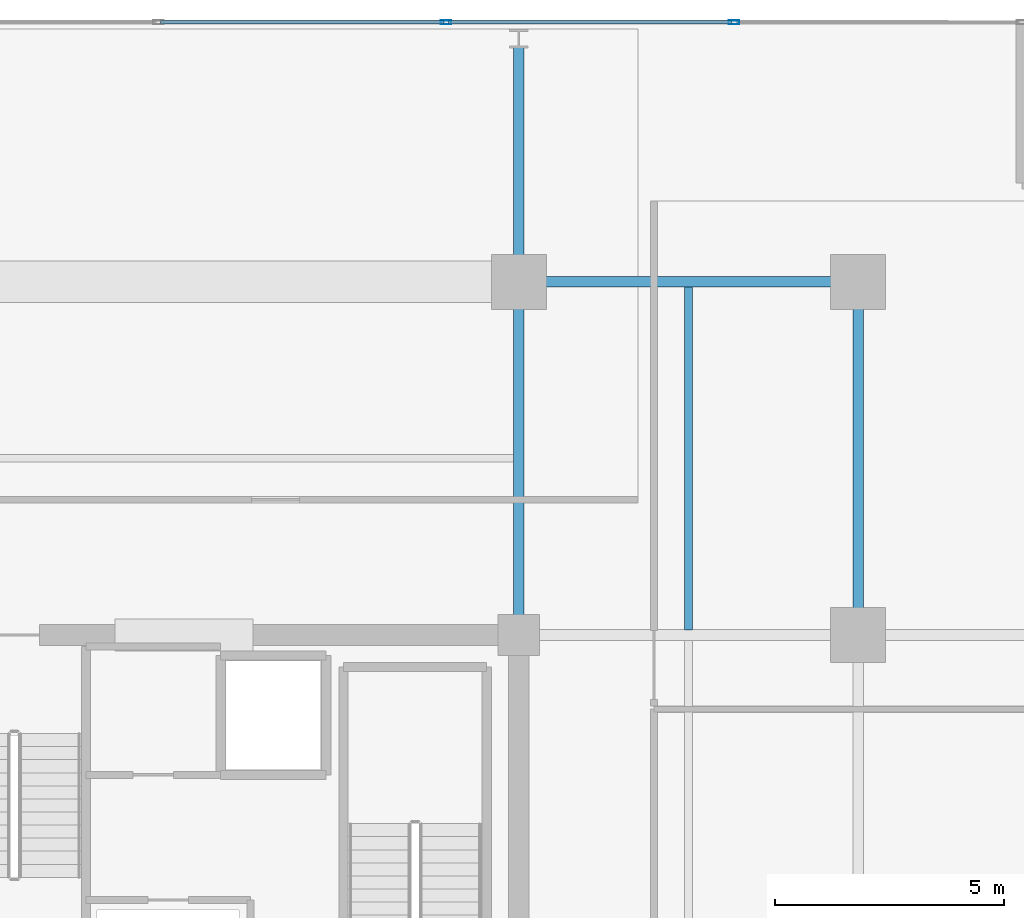
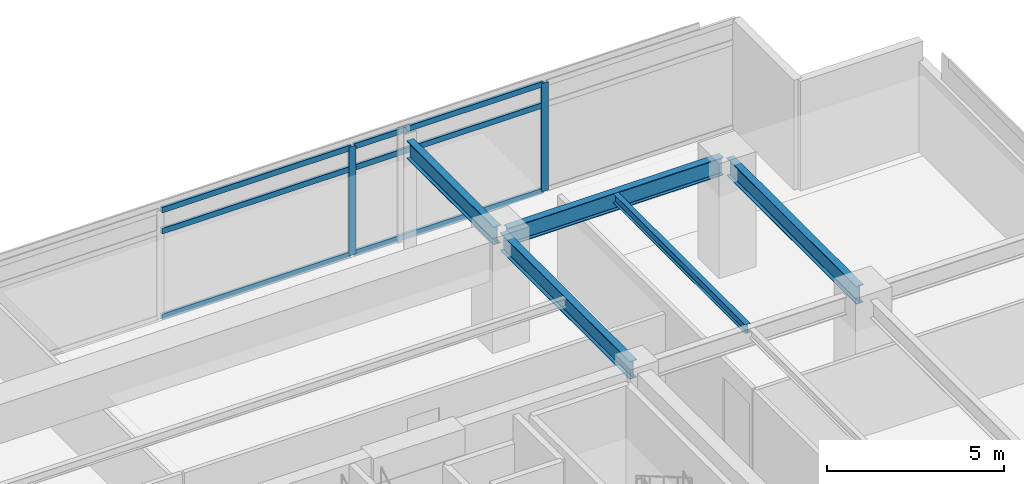
# One storey, part 11 of 21: 8 members, 5 beams, 1 element without a shape of its own.
"""IFC4 building model written with IfcOpenShell, lengths in metres."""

from ifc_helpers import new_model, si_unit, direction, frame, origin, origin_2d, place, context, subcontext, project, spatial, hollow_rectangle, i_section, extrude, material, material_profile, profile_set, type_object, element, aggregate, save


model = new_model("IFC4")

# Units and contexts
model_context = context("Model", 3, precision=1e-05, world=origin(), true_north=direction((0.0, 1.0)))
body_context = subcontext(model_context, "Body", "Model", "MODEL_VIEW")
ifc_project = project(units=[si_unit("LENGTHUNIT", "METRE"), si_unit("AREAUNIT", "SQUARE_METRE"), si_unit("VOLUMEUNIT", "CUBIC_METRE"), si_unit("PLANEANGLEUNIT", "RADIAN"), si_unit("MASSUNIT", "GRAM", prefix="KILO")], contexts=[model_context])

# Site, building, storey
site_placement = place(None, origin())
site = spatial("IfcSite", under=ifc_project, at=site_placement, CompositionType="ELEMENT")
building_placement = place(site_placement, origin())
building = spatial("IfcBuilding", under=site, at=building_placement, Name="Kovane Verandah Tower", CompositionType="ELEMENT")
storey_placement = place(building_placement, frame((0.0, 0.0, 275.199951171875)))
storey = spatial("IfcBuildingStorey", under=building, at=storey_placement, Name="L64", CompositionType="ELEMENT", Elevation=275.199951171875)

# Beams
ifc_material_1 = material(Name="Steel S355", Category="steel")
ifc_material_profile_1 = material_profile(ifc_material_1, i_section(OverallWidth=0.230224609375, OverallDepth=0.6171875, WebThickness=0.01318359375, FlangeThickness=0.022216796875, FilletRadius=0.0126953125, at=origin_2d()), Name="UB610x229x140")
ifc_profile_set_1 = profile_set([ifc_material_profile_1], Name="Steel S355")
beam_type_1 = type_object("IfcBeamType", Name="BM-UB610x140", PredefinedType="BEAM", material=ifc_profile_set_1)
beam_1_placement = place(storey_placement, frame((51.179931640625, 44.199951171875, 3.4765625), z_axis=(1.0, 0.0, 0.0), x_axis=(0.0, 1.0, 0.0)))
element("IfcBeam", 1, at=beam_1_placement, inside=storey, type_object=beam_type_1, Name="L64 Primary Tower Girder G-RN3", PredefinedType="BEAM", context=body_context, shape_type="SweptSolid", body=[
    extrude(i_section(OverallWidth=0.230224609375, OverallDepth=0.6171875, WebThickness=0.01318359375, FlangeThickness=0.022216796875, FilletRadius=0.0126953125, at=origin_2d()), origin(), (0.0, 0.0, 1.0), 7.0400390625),
])
for number, where, z_axis, x_axis, name in (
    (2, (58.39990234375, 36.679931640625, 3.4765625), (0.0, 1.0, 0.0), (-1.0, 0.0, 0.0), "L64 Primary Tower Girder G-RE3"),
    (3, (51.0, 36.679931640625, 3.4765625), (0.0, 1.0, 0.0), (-1.0, 0.0, 0.0), "L64 Primary Tower Girder G-N2"),
):
    element("IfcBeam", number, at=place(storey_placement, frame(where, z_axis=z_axis, x_axis=x_axis)), inside=storey, type_object=beam_type_1, Name=name, PredefinedType="BEAM", context=body_context, shape_type="SweptSolid", body=[
        extrude(i_section(OverallWidth=0.230224609375, OverallDepth=0.6171875, WebThickness=0.01318359375, FlangeThickness=0.022216796875, FilletRadius=0.0126953125, at=origin_2d()), origin(), (0.0, 0.0, 1.0), 7.340087890625),
    ])
beam_2_placement = place(storey_placement, frame((51.0, 44.3798828125, 3.451416015625), z_axis=(0.0, 1.0, 0.0), x_axis=(-1.0, 0.0, 0.0)))
element("IfcBeam", 4, at=beam_2_placement, inside=storey, type_object=beam_type_1, Name="L64 Primary Tower Girder G-VN2", PredefinedType="BEAM", context=body_context, shape_type="SweptSolid", body=[
    extrude(i_section(OverallWidth=0.230224609375, OverallDepth=0.6171875, WebThickness=0.01318359375, FlangeThickness=0.022216796875, FilletRadius=0.0126953125, at=origin_2d()), origin(), (0.0, 0.0, 1.0), 4.940185546875),
])

# Curtain wall, members
ifc_material_2 = material(Name="Champagne Anodised Aluminium Frame with Low-E Clear Laminated Glass", Category="aluminium")
curtain_wall_type = type_object("IfcCurtainWallType", Name="CW-SYS-05-HIGH", PredefinedType="NOTDEFINED", material=ifc_material_2)
curtain_wall_placement = place(storey_placement, origin())
curtain_wall = element("IfcCurtainWall", 5, at=curtain_wall_placement, inside=storey, type_object=curtain_wall_type, Name="L64 N Unitised Curtain Wall", PredefinedType="NOTDEFINED")
ifc_material_3 = material(Name="Champagne Anodised Aluminium 6063-T6", Category="aluminium")
ifc_material_profile_2 = material_profile(ifc_material_3, hollow_rectangle(XDim=0.0849609375, YDim=0.22998046875, WallThickness=0.00390625, at=origin_2d()), Name="AL85x230x4")
ifc_profile_set_2 = profile_set([ifc_material_profile_2], Name="Champagne Anodised Aluminium 6063-T6")
member_type_1 = type_object("IfcMemberType", Name="CW-MUL-85x230", PredefinedType="MULLION", material=ifc_profile_set_2)
member_1_placement = place(storey_placement, frame((55.6923828125, 49.860107421875, 0.02001953125), z_axis=(0.0, 0.0, 1.0), x_axis=(0.0, 1.0, 0.0)))
member_1 = element("IfcMember", 6, at=member_1_placement, type_object=member_type_1, Name="L64 N Unitised Curtain Wall Mullion 2", PredefinedType="MULLION", context=body_context, shape_type="SweptSolid", body=[
    extrude(hollow_rectangle(XDim=0.0849609375, YDim=0.22998046875, WallThickness=0.00390625, at=origin_2d()), origin(), (0.0, 0.0, 1.0), 3.7451171875),
])
member_2_placement = place(storey_placement, frame((49.415283203125, 49.860107421875, 0.02001953125), z_axis=(0.0, 0.0, 1.0), x_axis=(0.0, 1.0, 0.0)))
member_2 = element("IfcMember", 7, at=member_2_placement, type_object=member_type_1, Name="L64 N Unitised Curtain Wall Mullion 3", PredefinedType="MULLION", context=body_context, shape_type="SweptSolid", body=[
    extrude(hollow_rectangle(XDim=0.0849609375, YDim=0.22998046875, WallThickness=0.00390625, at=origin_2d()), origin(), (0.0, 0.0, 1.0), 3.7451171875),
])
ifc_material_profile_3 = material_profile(ifc_material_3, hollow_rectangle(XDim=0.0849609375, YDim=0.18994140625, WallThickness=0.00390625, at=origin_2d()), Name="AL85x190x4")
ifc_profile_set_3 = profile_set([ifc_material_profile_3], Name="Champagne Anodised Aluminium 6063-T6")
member_type_2 = type_object("IfcMemberType", Name="CW-TRN-85x190", PredefinedType="USERDEFINED", material=ifc_profile_set_3)
member_3_placement = place(storey_placement, frame((55.642333984375, 49.860107421875, 0.050048828125), z_axis=(-1.0, 0.0, 0.0), x_axis=(0.0, -1.0, 0.0)))
member_3 = element("IfcMember", 8, at=member_3_placement, type_object=member_type_2, Name="L64 N Unitised Curtain Wall Transom TB Bay 2", ObjectType="TRANSOM", PredefinedType="USERDEFINED", context=body_context, shape_type="SweptSolid", body=[
    extrude(hollow_rectangle(XDim=0.0849609375, YDim=0.18994140625, WallThickness=0.00390625, at=origin_2d()), origin(), (0.0, 0.0, 1.0), 6.177001953125),
])
member_4_placement = place(storey_placement, frame((55.642333984375, 49.860107421875, 3.005126953125), z_axis=(-1.0, 0.0, 0.0), x_axis=(0.0, -1.0, 0.0)))
member_4 = element("IfcMember", 9, at=member_4_placement, type_object=member_type_2, Name="L64 N Unitised Curtain Wall Transom TM Bay 2", ObjectType="TRANSOM", PredefinedType="USERDEFINED", context=body_context, shape_type="SweptSolid", body=[
    extrude(hollow_rectangle(XDim=0.0849609375, YDim=0.18994140625, WallThickness=0.00390625, at=origin_2d()), origin(), (0.0, 0.0, 1.0), 6.177001953125),
])
member_5_placement = place(storey_placement, frame((55.642333984375, 49.860107421875, 3.735107421875), z_axis=(-1.0, 0.0, 0.0), x_axis=(0.0, -1.0, 0.0)))
member_5 = element("IfcMember", 10, at=member_5_placement, type_object=member_type_2, Name="L64 N Unitised Curtain Wall Transom TT Bay 2", ObjectType="TRANSOM", PredefinedType="USERDEFINED", context=body_context, shape_type="SweptSolid", body=[
    extrude(hollow_rectangle(XDim=0.0849609375, YDim=0.18994140625, WallThickness=0.00390625, at=origin_2d()), origin(), (0.0, 0.0, 1.0), 6.177001953125),
])
member_6_placement = place(storey_placement, frame((49.365478515625, 49.860107421875, 0.050048828125), z_axis=(-1.0, 0.0, 0.0), x_axis=(0.0, -1.0, 0.0)))
member_6 = element("IfcMember", 11, at=member_6_placement, type_object=member_type_2, Name="L64 N Unitised Curtain Wall Transom TB Bay 3", ObjectType="TRANSOM", PredefinedType="USERDEFINED", context=body_context, shape_type="SweptSolid", body=[
    extrude(hollow_rectangle(XDim=0.0849609375, YDim=0.18994140625, WallThickness=0.00390625, at=origin_2d()), origin(), (0.0, 0.0, 1.0), 6.177001953125),
])
member_7_placement = place(storey_placement, frame((49.365478515625, 49.860107421875, 3.005126953125), z_axis=(-1.0, 0.0, 0.0), x_axis=(0.0, -1.0, 0.0)))
member_7 = element("IfcMember", 12, at=member_7_placement, type_object=member_type_2, Name="L64 N Unitised Curtain Wall Transom TM Bay 3", ObjectType="TRANSOM", PredefinedType="USERDEFINED", context=body_context, shape_type="SweptSolid", body=[
    extrude(hollow_rectangle(XDim=0.0849609375, YDim=0.18994140625, WallThickness=0.00390625, at=origin_2d()), origin(), (0.0, 0.0, 1.0), 6.177001953125),
])
member_8_placement = place(storey_placement, frame((49.365478515625, 49.860107421875, 3.735107421875), z_axis=(-1.0, 0.0, 0.0), x_axis=(0.0, -1.0, 0.0)))
member_8 = element("IfcMember", 13, at=member_8_placement, type_object=member_type_2, Name="L64 N Unitised Curtain Wall Transom TT Bay 3", ObjectType="TRANSOM", PredefinedType="USERDEFINED", context=body_context, shape_type="SweptSolid", body=[
    extrude(hollow_rectangle(XDim=0.0849609375, YDim=0.18994140625, WallThickness=0.00390625, at=origin_2d()), origin(), (0.0, 0.0, 1.0), 6.177001953125),
])
aggregate(curtain_wall, [member_1, member_2, member_3, member_4, member_5, member_6, member_7, member_8])

# Beam
ifc_material_profile_4 = material_profile(ifc_material_1, i_section(OverallWidth=0.1669921875, OverallDepth=0.310302734375, WebThickness=0.0078125, FlangeThickness=0.013671875, FilletRadius=0.0087890625, at=origin_2d()), Name="UB305x165x54")
ifc_profile_set_4 = profile_set([ifc_material_profile_4], Name="Steel S355")
beam_type_2 = type_object("IfcBeamType", Name="JST-UB305x54", PredefinedType="JOIST", material=ifc_profile_set_4)
beam_3_placement = place(storey_placement, frame((54.699951171875, 36.613037109375, 3.6298828125), z_axis=(0.0, 1.0, 0.0), x_axis=(-1.0, 0.0, 0.0)))
element("IfcBeam", 14, at=beam_3_placement, inside=storey, type_object=beam_type_2, Name="L64 Secondary Composite Joist J-NE1", PredefinedType="JOIST", context=body_context, shape_type="SweptSolid", body=[
    extrude(i_section(OverallWidth=0.1669921875, OverallDepth=0.310302734375, WebThickness=0.0078125, FlangeThickness=0.013671875, FilletRadius=0.0087890625, at=origin_2d()), origin(), (0.0, 0.0, 1.0), 7.473876953125),
])

save(model, "model.ifc")
